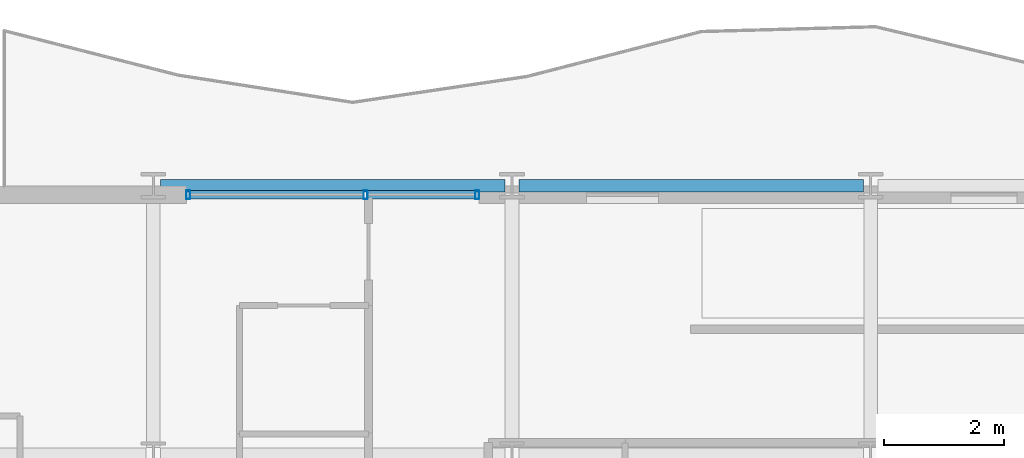
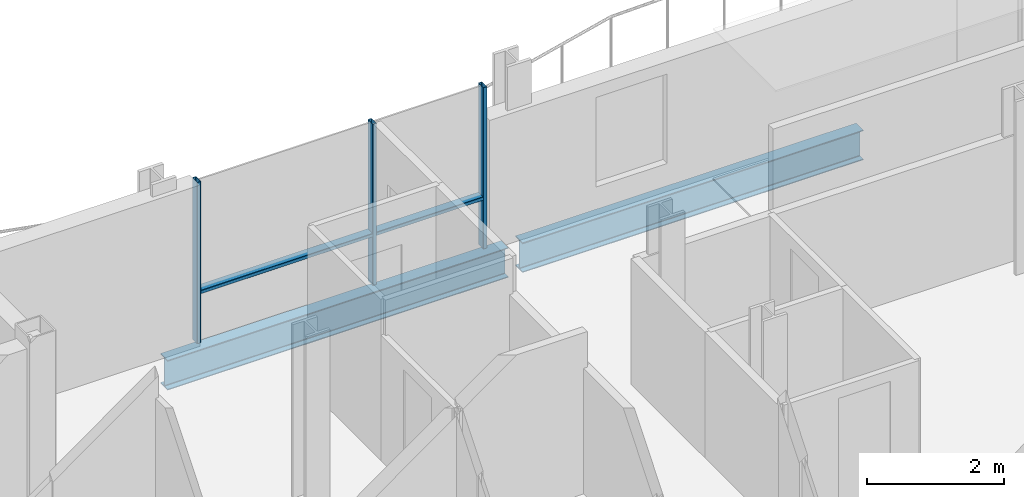
# One storey, part 21 of 41: 5 members, 2 beams, 1 element without a shape of its own.
"""IFC4 building model written with IfcOpenShell, lengths in metres."""

import ifcopenshell
import ifcopenshell.guid

model = None  # the IFC model being written
_history = None  # IfcOwnerHistory: only IFC2X3 demands one
_inside = {}  # id of a spatial element -> (the spatial element, [elements in it])
_under = {}  # id of a project, library or spatial element -> (it, [spatial elements below it])
_declared = {}  # id of a project -> (the project, [libraries it declares])
_typed = {}  # id of a type object -> (the type object, [elements of that type])
_made_of = {}  # id of a material, layer set ... -> (it, [elements and type objects made of it])


def new_model(schema):
    """Start an empty IFC model of exactly this schema.

    Asked for "IFC4X3", IfcOpenShell would pick the latest addendum, in which some entities
    have other attributes; the version numbers below select the first issue.
    IFC2X3 requires an IfcOwnerHistory on every rooted entity: one is made here for all.
    """
    global model, _history
    if schema == "IFC4X3":
        model = ifcopenshell.file(schema_version=(4, 3, 0, 0))
    else:
        model = ifcopenshell.file(schema=schema)
    _inside.clear()
    _under.clear()
    _declared.clear()
    _typed.clear()
    _made_of.clear()
    _history = None
    if model.schema == "IFC2X3":
        org = make("IfcOrganization", Name="unknown")
        user = make(
            "IfcPersonAndOrganization",
            ThePerson=make("IfcPerson", FamilyName="unknown"),
            TheOrganization=org,
        )
        app = make(
            "IfcApplication",
            ApplicationDeveloper=org,
            Version="unknown",
            ApplicationFullName="unknown",
            ApplicationIdentifier="unknown",
        )
        _history = make(
            "IfcOwnerHistory",
            OwningUser=user,
            OwningApplication=app,
            ChangeAction="ADDED",
            CreationDate=0,
        )
    return model


def make(cls, **values):
    """One entity of the class cls with the attributes given. An attribute that is None is left unset."""
    return model.create_entity(
        cls, **{name: value for name, value in values.items() if value is not None}
    )


def rooted(cls, **values):
    """An entity with a GlobalId (a new one), such as an element, a storey or a relation."""
    return make(cls, GlobalId=ifcopenshell.guid.new(), OwnerHistory=_history, **values)


def si_unit(unit_type, name, prefix=None):
    """IfcSIUnit, for example si_unit("LENGTHUNIT", "METRE", prefix="MILLI")."""
    return make("IfcSIUnit", UnitType=unit_type, Prefix=prefix, Name=name)


def assignment(units):
    """IfcUnitAssignment: the units of a project."""
    return None if units is None else make("IfcUnitAssignment", Units=units)


def point(xyz):
    """IfcCartesianPoint."""
    return None if xyz is None else make("IfcCartesianPoint", Coordinates=xyz)


def direction(xyz):
    """IfcDirection."""
    return None if xyz is None else make("IfcDirection", DirectionRatios=xyz)


def frame(location, z_axis=None, x_axis=None):
    """IfcAxis2Placement3D, a coordinate frame: its origin and axes. An axis left out is left unset."""
    return make(
        "IfcAxis2Placement3D",
        Location=point(location),
        Axis=direction(z_axis),
        RefDirection=direction(x_axis),
    )


def frame_2d(location, x_axis=None):
    """IfcAxis2Placement2D, a coordinate frame in the plane: its origin and x axis."""
    return make(
        "IfcAxis2Placement2D", Location=point(location), RefDirection=direction(x_axis)
    )


def origin():
    """The frame at (0, 0, 0) with its axes left unset."""
    return frame((0.0, 0.0, 0.0))


def origin_2d():
    """The frame at (0, 0) in the plane with its x axis left unset."""
    return frame_2d((0.0, 0.0))


def place(relative_to, where):
    """IfcLocalPlacement: puts the frame where relative to a parent placement (None: the world)."""
    return make(
        "IfcLocalPlacement", PlacementRelTo=relative_to, RelativePlacement=where
    )


def context(
    kind, dimensions, precision=None, world=None, true_north=None, identifier=None
):
    """IfcGeometricRepresentationContext, for example the 3D "Model" context."""
    return make(
        "IfcGeometricRepresentationContext",
        ContextIdentifier=identifier,
        ContextType=kind,
        CoordinateSpaceDimension=dimensions,
        Precision=precision,
        WorldCoordinateSystem=world,
        TrueNorth=true_north,
    )


def subcontext(parent, identifier, kind, view, scale=None):
    """IfcGeometricRepresentationSubContext, for example "Body" below "Model"."""
    return make(
        "IfcGeometricRepresentationSubContext",
        ContextIdentifier=identifier,
        ContextType=kind,
        ParentContext=parent,
        TargetScale=scale,
        TargetView=view,
    )


def project(units=None, contexts=None):
    """IfcProject with its units and contexts."""
    return rooted(
        "IfcProject",
        Name="project",
        RepresentationContexts=contexts,
        UnitsInContext=assignment(units),
    )


def spatial(cls, under=None, at=None, **own):
    """A site, building, storey or space (cls), placed at a placement, below another one or the project."""
    s = rooted(cls, ObjectPlacement=at, **own)
    if under is not None:
        _under.setdefault(under.id(), (under, []))[1].append(s)
    return s


def profile(cls, at=None, kind="AREA", **sizes):
    """A parametric profile (cls). Its sizes go by their IFC names, for example OverallWidth=200.0."""
    return make(cls, ProfileType=kind, Position=at, **sizes)


def hollow_rectangle(**sizes):
    """IfcRectangleHollowProfileDef."""
    return profile("IfcRectangleHollowProfileDef", **sizes)


def i_section(**sizes):
    """IfcIShapeProfileDef."""
    return profile("IfcIShapeProfileDef", **sizes)


def extrude(swept, where, along, depth):
    """IfcExtrudedAreaSolid: the profile swept, set in the frame where, extruded along a direction by depth."""
    return make(
        "IfcExtrudedAreaSolid",
        SweptArea=swept,
        Position=where,
        ExtrudedDirection=direction(along),
        Depth=depth,
    )


def shape(context_of_items, identifier, shape_type, items):
    """IfcShapeRepresentation: the items that make up one representation, for example the "Body"."""
    return make(
        "IfcShapeRepresentation",
        ContextOfItems=context_of_items,
        RepresentationIdentifier=identifier,
        RepresentationType=shape_type,
        Items=items,
    )


def material(Name=None, Category=None):
    """IfcMaterial."""
    return make("IfcMaterial", Name=Name, Category=Category)


def layer(
    of_material, thickness, ventilated=None, Name=None, Category=None, Priority=None
):
    """IfcMaterialLayer: one layer of a wall or slab, of a material (None: an air gap)."""
    return make(
        "IfcMaterialLayer",
        Material=of_material,
        LayerThickness=thickness,
        IsVentilated=ventilated,
        Name=Name,
        Category=Category,
        Priority=Priority,
    )


def layer_set(layers, Name=None):
    """IfcMaterialLayerSet."""
    return make("IfcMaterialLayerSet", MaterialLayers=layers, LayerSetName=Name)


def material_profile(
    of_material, cross_section, Name=None, Category=None, Priority=None
):
    """IfcMaterialProfile: a cross section and its material."""
    return make(
        "IfcMaterialProfile",
        Name=Name,
        Material=of_material,
        Profile=cross_section,
        Priority=Priority,
        Category=Category,
    )


def profile_set(profiles, Name=None, composite=None):
    """IfcMaterialProfileSet."""
    return make(
        "IfcMaterialProfileSet",
        Name=Name,
        MaterialProfiles=profiles,
        CompositeProfile=composite,
    )


def made_of(thing, what):
    """Note that an element or type object is made of a material, layer set ...; save() writes the relation."""
    if what is not None:
        _made_of.setdefault(what.id(), (what, []))[1].append(thing)
    return thing


def type_object(cls, material=None, **own):
    """A type object (cls), such as IfcWallType, which elements share."""
    return made_of(rooted(cls, **own), material)


def element(
    cls,
    number,
    at=None,
    inside=None,
    cuts=None,
    type_object=None,
    material=None,
    context=None,
    identifier="Body",
    shape_type=None,
    held_by="IfcProductDefinitionShape",
    body=None,
    shapes=None,
    **own,
):
    """One element of the class cls, such as IfcWall. Its Tag is "e" and its number.

    at: its placement. inside: the storey or other place that contains it. cuts: it is an
    opening in that element (IfcRelVoidsElement). A single representation is given by context,
    identifier, shape_type and body (its items); several are given by shapes. held_by: the class
    of the entity that holds the representations. save() writes the other relations.
    """
    e = rooted(cls, Tag="e%d" % number, ObjectPlacement=at, **own)
    if body is not None:
        shapes = [shape(context, identifier, shape_type, body)]
    if shapes is not None:
        e.Representation = make(held_by, Representations=shapes)
    if inside is not None:
        _inside.setdefault(inside.id(), (inside, []))[1].append(e)
    if cuts is not None:
        rooted(
            "IfcRelVoidsElement", RelatingBuildingElement=cuts, RelatedOpeningElement=e
        )
    if type_object is not None:
        _typed.setdefault(type_object.id(), (type_object, []))[1].append(e)
    return made_of(e, material)


def aggregate(whole, parts):
    """IfcRelAggregates: a whole, such as a stair, and the parts it consists of."""
    return rooted("IfcRelAggregates", RelatingObject=whole, RelatedObjects=parts)


def save(model, path):
    """Write the relations noted so far, then the file.

    IfcRelAggregates (storeys below a building ...), IfcRelContainedInSpatialStructure (elements
    in a storey), IfcRelDefinesByType, IfcRelAssociatesMaterial and IfcRelDeclares: one each for
    every whole, place, type object, material and project.
    """
    for whole, parts in _under.values():
        aggregate(whole, parts)
    for where, things in _inside.values():
        rooted(
            "IfcRelContainedInSpatialStructure",
            RelatedElements=things,
            RelatingStructure=where,
        )
    for kind, things in _typed.values():
        rooted("IfcRelDefinesByType", RelatedObjects=things, RelatingType=kind)
    for what, things in _made_of.values():
        rooted("IfcRelAssociatesMaterial", RelatedObjects=things, RelatingMaterial=what)
    for by, libraries in _declared.values():
        rooted("IfcRelDeclares", RelatingContext=by, RelatedDefinitions=libraries)
    model.write(path)


model = new_model("IFC4")

# Units and contexts
model_context = context("Model", 3, precision=1e-05, world=origin(), true_north=direction((0.0, 1.0)))
body_context = subcontext(model_context, "Body", "Model", "MODEL_VIEW")
ifc_project = project(units=[si_unit("LENGTHUNIT", "METRE"), si_unit("AREAUNIT", "SQUARE_METRE"), si_unit("VOLUMEUNIT", "CUBIC_METRE"), si_unit("PLANEANGLEUNIT", "RADIAN"), si_unit("MASSUNIT", "GRAM", prefix="KILO")], contexts=[model_context])

# Site, building, storey
site_placement = place(None, origin())
site = spatial("IfcSite", under=ifc_project, at=site_placement, CompositionType="ELEMENT")
building_placement = place(site_placement, origin())
building = spatial("IfcBuilding", under=site, at=building_placement, Name="Brevholm Reach", CompositionType="ELEMENT")
storey_placement = place(building_placement, frame((0.0, 0.0, 106.60009765625)))
storey = spatial("IfcBuildingStorey", under=building, at=storey_placement, Name="L31", CompositionType="ELEMENT", Elevation=106.60009765625)

# Beams
ifc_material_1 = material(Name="Structural Steel S355J2", Category="steel")
ifc_material_profile_1 = material_profile(ifc_material_1, i_section(OverallWidth=0.209228515625, OverallDepth=0.533203125, WebThickness=0.010009765625, FlangeThickness=0.015625, FilletRadius=0.0126953125, at=origin_2d()), Name="UKB 533x210x92")
ifc_profile_set_1 = profile_set([ifc_material_profile_1], Name="Structural Steel S355J2")
beam_type = type_object("IfcBeamType", Name="BM-SP533", PredefinedType="SPANDREL", material=ifc_profile_set_1)
for number, where, z_axis, x_axis, name in (
    (1, (6.1201171875, 31.0, -0.486572265625), (1.0, 0.0, 0.0), (0.0, 1.0, 0.0), "L31 SP-02 Framing Beam"),
    (2, (12.1201171875, 31.0, -0.486572265625), (1.0, 0.0, 0.0), (0.0, 1.0, 0.0), "L31 SP-02 Framing Beam"),
):
    element("IfcBeam", number, at=place(storey_placement, frame(where, z_axis=z_axis, x_axis=x_axis)), inside=storey, type_object=beam_type, Name=name, PredefinedType="SPANDREL", context=body_context, shape_type="SweptSolid", body=[
        extrude(i_section(OverallWidth=0.209228515625, OverallDepth=0.533203125, WebThickness=0.010009765625, FlangeThickness=0.015625, FilletRadius=0.0126953125, at=origin_2d()), origin(), (0.0, 0.0, 1.0), 5.759765625),
    ])

# Curtain wall, members
ifc_material_2 = material(Name="Dark Anodised Aluminium 6063-T6 and Solar-Control Glass", Category="aluminium")
ifc_layer = layer(ifc_material_2, 0.14990234375)
ifc_layer_set = layer_set([ifc_layer], Name="Dark Anodised Aluminium 6063-T6 and Solar-Control Glass")
curtain_wall_type = type_object("IfcCurtainWallType", Name="CW-01", PredefinedType="NOTDEFINED", material=ifc_layer_set)
curtain_wall_placement = place(storey_placement, origin())
curtain_wall = element("IfcCurtainWall", 3, at=curtain_wall_placement, inside=storey, type_object=curtain_wall_type, Name="L31 Curtain Wall CW-01", PredefinedType="NOTDEFINED")
ifc_material_3 = material(Name="Dark Anodised Aluminium 6063-T6", Category="aluminium")
ifc_material_profile_2 = material_profile(ifc_material_3, hollow_rectangle(XDim=0.06494140625, YDim=0.14990234375, WallThickness=0.0048828125, InnerFilletRadius=0.0048828125, OuterFilletRadius=0.010009765625, at=origin_2d()), Name="RHS 150x65x5")
ifc_profile_set_2 = profile_set([ifc_material_profile_2], Name="Dark Anodised Aluminium 6063-T6")
member_type_1 = type_object("IfcMemberType", Name="CWM-150", PredefinedType="MULLION", material=ifc_profile_set_2)
member_1_placement = place(storey_placement, frame((6.58251953125, 30.85009765625, 0.0), z_axis=(0.0, 0.0, 1.0), x_axis=(1.0, 0.0, 0.0)))
member_1 = element("IfcMember", 4, at=member_1_placement, type_object=member_type_1, Name="CM-150 Mullion 1", PredefinedType="MULLION", context=body_context, shape_type="SweptSolid", body=[
    extrude(hollow_rectangle(XDim=0.06494140625, YDim=0.14990234375, WallThickness=0.0048828125, InnerFilletRadius=0.0048828125, OuterFilletRadius=0.010009765625, at=origin_2d()), origin(), (0.0, 0.0, 1.0), 2.8798828125),
])
member_2_placement = place(storey_placement, frame((9.550048828125, 30.85009765625, 0.0), z_axis=(0.0, 0.0, 1.0), x_axis=(1.0, 0.0, 0.0)))
member_2 = element("IfcMember", 5, at=member_2_placement, type_object=member_type_1, Name="CM-150 Mullion 2", PredefinedType="MULLION", context=body_context, shape_type="SweptSolid", body=[
    extrude(hollow_rectangle(XDim=0.06494140625, YDim=0.14990234375, WallThickness=0.0048828125, InnerFilletRadius=0.0048828125, OuterFilletRadius=0.010009765625, at=origin_2d()), origin(), (0.0, 0.0, 1.0), 2.8798828125),
])
member_3_placement = place(storey_placement, frame((11.41748046875, 30.85009765625, 0.0), z_axis=(0.0, 0.0, 1.0), x_axis=(1.0, 0.0, 0.0)))
member_3 = element("IfcMember", 6, at=member_3_placement, type_object=member_type_1, Name="CM-150 Mullion 3", PredefinedType="MULLION", context=body_context, shape_type="SweptSolid", body=[
    extrude(hollow_rectangle(XDim=0.06494140625, YDim=0.14990234375, WallThickness=0.0048828125, InnerFilletRadius=0.0048828125, OuterFilletRadius=0.010009765625, at=origin_2d()), origin(), (0.0, 0.0, 1.0), 2.8798828125),
])
ifc_material_4 = material(Name="Dark Anodised Aluminium 6063-T6", Category="aluminium")
ifc_material_profile_3 = material_profile(ifc_material_4, hollow_rectangle(XDim=0.06494140625, YDim=0.14990234375, WallThickness=0.0048828125, InnerFilletRadius=0.0048828125, OuterFilletRadius=0.010009765625, at=origin_2d()), Name="RHS 150x65x5")
ifc_profile_set_3 = profile_set([ifc_material_profile_3], Name="Dark Anodised Aluminium 6063-T6")
member_type_2 = type_object("IfcMemberType", Name="CWT-150", PredefinedType="NOTDEFINED", material=ifc_profile_set_3)
member_4_placement = place(storey_placement, frame((6.614990234375, 30.85009765625, 0.89990234375), z_axis=(1.0, 0.0, 0.0), x_axis=(0.0, 0.0, 1.0)))
member_4 = element("IfcMember", 7, at=member_4_placement, type_object=member_type_2, Name="CT-150 Transom 1.1", ObjectType="TRANSOM", PredefinedType="USERDEFINED", context=body_context, shape_type="SweptSolid", body=[
    extrude(hollow_rectangle(XDim=0.06494140625, YDim=0.14990234375, WallThickness=0.0048828125, InnerFilletRadius=0.0048828125, OuterFilletRadius=0.010009765625, at=origin_2d()), origin(), (0.0, 0.0, 1.0), 2.902587890625),
])
member_5_placement = place(storey_placement, frame((9.58251953125, 30.85009765625, 0.89990234375), z_axis=(1.0, 0.0, 0.0), x_axis=(0.0, 0.0, 1.0)))
member_5 = element("IfcMember", 8, at=member_5_placement, type_object=member_type_2, Name="CT-150 Transom 2.1", ObjectType="TRANSOM", PredefinedType="USERDEFINED", context=body_context, shape_type="SweptSolid", body=[
    extrude(hollow_rectangle(XDim=0.06494140625, YDim=0.14990234375, WallThickness=0.0048828125, InnerFilletRadius=0.0048828125, OuterFilletRadius=0.010009765625, at=origin_2d()), origin(), (0.0, 0.0, 1.0), 1.802490234375),
])
aggregate(curtain_wall, [member_1, member_2, member_3, member_4, member_5])

save(model, "model.ifc")
